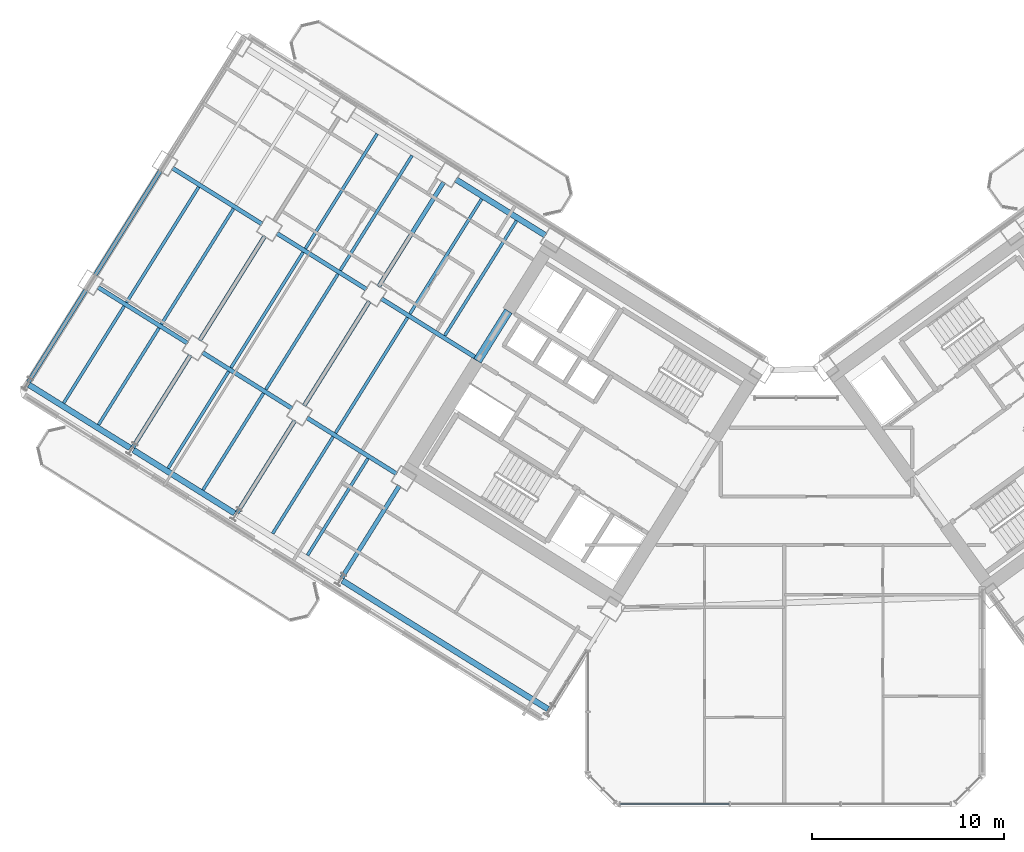
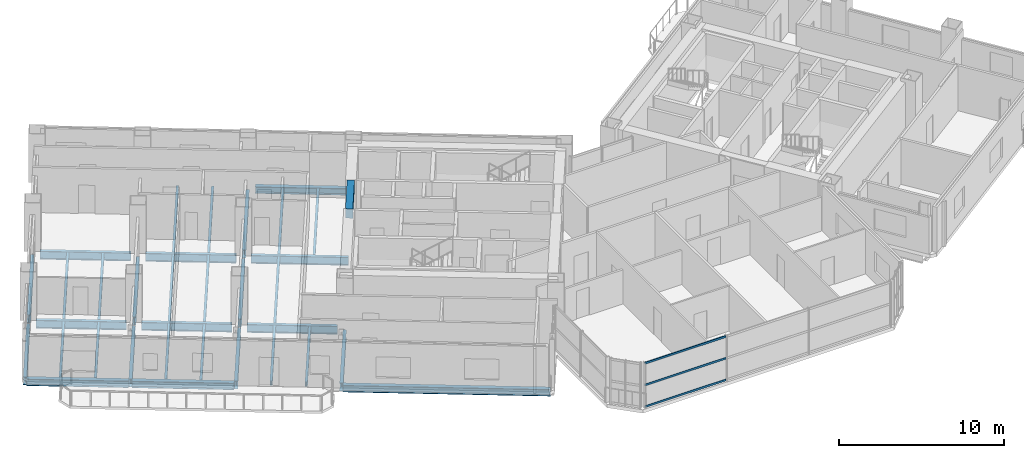
# One storey, part 6 of 28: 34 beams, 3 members, 1 element without a shape of its own.
"""IFC4 building model written with IfcOpenShell, lengths in metres."""

from ifc_helpers import new_model, si_unit, direction, frame, origin, origin_2d, place, context, subcontext, project, spatial, rectangle, hollow_rectangle, i_section, extrude, source, transform, mapped, material, material_profile, profile_set, type_object, element, aggregate, save


model = new_model("IFC4")

# Units and contexts
model_context = context("Model", 3, precision=1e-05, world=origin(), true_north=direction((0.0, 1.0)))
body_context = subcontext(model_context, "Body", "Model", "MODEL_VIEW")
ifc_project = project(units=[si_unit("LENGTHUNIT", "METRE"), si_unit("AREAUNIT", "SQUARE_METRE"), si_unit("VOLUMEUNIT", "CUBIC_METRE"), si_unit("PLANEANGLEUNIT", "RADIAN"), si_unit("MASSUNIT", "GRAM", prefix="KILO")], contexts=[model_context])

# Site, building, storey
site_placement = place(None, origin())
site = spatial("IfcSite", under=ifc_project, at=site_placement, CompositionType="ELEMENT")
building_placement = place(site_placement, origin())
building = spatial("IfcBuilding", under=site, at=building_placement, Name="Tlacorven Tower", CompositionType="ELEMENT")
storey_placement = place(building_placement, frame((0.0, 0.0, 34.800048828125)))
storey = spatial("IfcBuildingStorey", under=building, at=storey_placement, Name="L08", CompositionType="ELEMENT", Elevation=34.800048828125)

# Beams
ifc_material_1 = material(Name="Concrete C60/75", Category="concrete")
ifc_material_profile_1 = material_profile(ifc_material_1, rectangle(XDim=0.449951171875, YDim=0.699951171875, at=origin_2d()), Name="RC 450X700")
ifc_profile_set_1 = profile_set([ifc_material_profile_1], Name="Concrete C60/75")
beam_type_1 = type_object("IfcBeamType", Name="BM-LNT-700", PredefinedType="LINTEL", material=ifc_profile_set_1)
shared_shape_1 = source(origin(), body_context, "Body", "SweptSolid", [
    extrude(rectangle(XDim=0.449951171875, YDim=0.699951171875, at=origin_2d()), origin(), (0.0, 0.0, 1.0), 3.0498046875),
])
beam_1_placement = place(storey_placement, frame((27.622802734375, 27.562255859375, 3.0), z_axis=(-0.529926983584, -0.848043272522, 0.0), x_axis=(0.848043272522, -0.529926983584, 0.0)))
element("IfcBeam", 1, at=beam_1_placement, inside=storey, type_object=beam_type_1, Name="L08 W core coupling lintel beam E2", PredefinedType="LINTEL", context=body_context, shape_type="MappedRepresentation", body=[
    mapped(shared_shape_1, transform((0.0, 0.0, 0.0), scale=1.0)),
])
ifc_material_2 = material(Name="Steel S355J2", Category="steel")
ifc_material_profile_2 = material_profile(ifc_material_2, i_section(OverallWidth=0.300048828125, OverallDepth=0.489990234375, WebThickness=0.011962890625, FlangeThickness=0.02294921875, at=origin_2d()), Name="HEA 500")
ifc_profile_set_2 = profile_set([ifc_material_profile_2], Name="Steel S355J2")
beam_type_2 = type_object("IfcBeamType", Name="BM-SPN-500", PredefinedType="SPANDREL", material=ifc_profile_set_2)
shared_shape_2 = source(origin(), body_context, "Body", "SweptSolid", [
    extrude(i_section(OverallWidth=0.300048828125, OverallDepth=0.489990234375, WebThickness=0.011962890625, FlangeThickness=0.02294921875, at=origin_2d()), origin(), (0.0, 0.0, 1.0), 5.5),
])
beam_2_placement = place(storey_placement, frame((29.54638671875, 31.48974609375, -0.4951171875), z_axis=(-0.848050668838, 0.52991514706, 0.0), x_axis=(-0.52991514706, -0.848050668838, 0.0)))
element("IfcBeam", 2, at=beam_2_placement, inside=storey, type_object=beam_type_2, Name="L08 beam BM-L08-WL1-3", PredefinedType="SPANDREL", context=body_context, shape_type="MappedRepresentation", body=[
    mapped(shared_shape_2, transform((0.0, 0.0, 0.0), scale=1.0)),
])
ifc_material_profile_3 = material_profile(ifc_material_2, i_section(OverallWidth=0.219970703125, OverallDepth=0.60009765625, WebThickness=0.011962890625, FlangeThickness=0.01904296875, at=origin_2d()), Name="IPE 600")
ifc_profile_set_3 = profile_set([ifc_material_profile_3], Name="Steel S355J2")
beam_type_3 = type_object("IfcBeamType", Name="BM-TWR-600", PredefinedType="BEAM", material=ifc_profile_set_3)
shared_shape_3 = source(origin(), body_context, "Body", "SweptSolid", [
    extrude(i_section(OverallWidth=0.219970703125, OverallDepth=0.60009765625, WebThickness=0.011962890625, FlangeThickness=0.01904296875, at=origin_2d()), origin(), (0.0, 0.0, 1.0), 5.909912109375),
])
beam_3_placement = place(storey_placement, frame((26.025634765625, 25.081787109375, -0.550048828125), z_axis=(-0.848047036595, 0.529920959883, 0.0), x_axis=(-0.529920959883, -0.848047036595, 0.0)))
element("IfcBeam", 3, at=beam_3_placement, inside=storey, type_object=beam_type_3, Name="L08 beam BM-L08-WL2-3", PredefinedType="BEAM", context=body_context, shape_type="MappedRepresentation", body=[
    mapped(shared_shape_3, transform((0.0, 0.0, 0.0), scale=1.0)),
])
shared_shape_4 = source(origin(), body_context, "Body", "SweptSolid", [
    extrude(i_section(OverallWidth=0.219970703125, OverallDepth=0.60009765625, WebThickness=0.011962890625, FlangeThickness=0.01904296875, at=origin_2d()), origin(), (0.0, 0.0, 1.0), 5.5),
])
for number, where, z_axis, x_axis, name in (
    (4, (20.25048828125, 28.690673828125, -0.550048828125), (-0.848050668838, 0.52991514706, 0.0), (-0.52991514706, -0.848050668838, 0.0), "L08 beam BM-L08-WL2-4"),
    (5, (14.822998046875, 32.08203125, -0.550048828125), (-0.848050668838, 0.52991514706, 0.0), (-0.52991514706, -0.848050668838, 0.0), "L08 beam BM-L08-WL2-5"),
    (6, (21.8095703125, 19.1083984375, -0.550048828125), (-0.848050668838, 0.52991514706, 0.0), (-0.52991514706, -0.848050668838, 0.0), "L08 beam BM-L08-WL3-3"),
    (7, (16.382080078125, 22.499755859375, -0.550048828125), (-0.848050668838, 0.52991514706, 0.0), (-0.52991514706, -0.848050668838, 0.0), "L08 beam BM-L08-WL3-4"),
    (8, (10.95458984375, 25.891357421875, -0.550048828125), (-0.848050668838, 0.52991514706, 0.0), (-0.52991514706, -0.848050668838, 0.0), "L08 beam BM-L08-WL3-5"),
):
    element("IfcBeam", number, at=place(storey_placement, frame(where, z_axis=z_axis, x_axis=x_axis)), inside=storey, type_object=beam_type_3, Name=name, PredefinedType="BEAM", context=body_context, shape_type="MappedRepresentation", body=[
        mapped(shared_shape_4, transform((0.0, 0.0, 0.0), scale=1.0)),
    ])
shared_shape_5 = source(origin(), body_context, "Body", "SweptSolid", [
    extrude(i_section(OverallWidth=0.300048828125, OverallDepth=0.489990234375, WebThickness=0.011962890625, FlangeThickness=0.02294921875, at=origin_2d()), origin(), (0.0, 0.0, 1.0), 12.599853515625),
])
beam_4_placement = place(storey_placement, frame((29.67578125, 6.882080078125, -0.4951171875), z_axis=(-0.848045108756, 0.529924045043, 0.0), x_axis=(-0.529924045043, -0.848045108756, 0.0)))
element("IfcBeam", 9, at=beam_4_placement, inside=storey, type_object=beam_type_2, Name="L08 beam BM-L08-WL4-1", PredefinedType="SPANDREL", context=body_context, shape_type="MappedRepresentation", body=[
    mapped(shared_shape_5, transform((0.0, 0.0, 0.0), scale=1.0)),
])
shared_shape_6 = source(origin(), body_context, "Body", "SweptSolid", [
    extrude(i_section(OverallWidth=0.300048828125, OverallDepth=0.489990234375, WebThickness=0.011962890625, FlangeThickness=0.02294921875, at=origin_2d()), origin(), (0.0, 0.0, 1.0), 6.199951171875),
])
for number, where, z_axis, x_axis, name in (
    (10, (13.393310546875, 17.056396484375, -0.4951171875), (-0.848033697614, 0.529942306022, 0.0), (-0.529942306022, -0.848033697614, 0.0), "L08 beam BM-L08-WL4-4"),
    (11, (7.9658203125, 20.447998046875, -0.4951171875), (-0.848051394107, 0.529913986372, 0.0), (-0.529913986372, -0.848051394107, 0.0), "L08 beam BM-L08-WL4-5"),
):
    element("IfcBeam", number, at=place(storey_placement, frame(where, z_axis=z_axis, x_axis=x_axis)), inside=storey, type_object=beam_type_2, Name=name, PredefinedType="SPANDREL", context=body_context, shape_type="MappedRepresentation", body=[
        mapped(shared_shape_6, transform((0.0, 0.0, 0.0), scale=1.0)),
    ])
shared_shape_7 = source(origin(), body_context, "Body", "SweptSolid", [
    extrude(i_section(OverallWidth=0.219970703125, OverallDepth=0.60009765625, WebThickness=0.011962890625, FlangeThickness=0.01904296875, at=origin_2d()), origin(), (0.0, 0.0, 1.0), 5.650146484375),
])
for number, where, z_axis, x_axis, name in (
    (12, (21.95263671875, 18.48828125, -0.550048828125), (-0.529929025184, -0.848041996759, 0.0), (0.848041996759, -0.529929025184, 0.0), "L08 beam BM-L08-WT3-2"),
    (13, (16.525146484375, 21.879638671875, -0.550048828125), (-0.529929025184, -0.848041996759, 0.0), (0.848041996759, -0.529929025184, 0.0), "L08 beam BM-L08-WT4-3"),
    (14, (11.09765625, 25.271240234375, -0.550048828125), (-0.529929025184, -0.848041996759, 0.0), (0.848041996759, -0.529929025184, 0.0), "L08 beam BM-L08-WT5-3"),
    (15, (5.670166015625, 28.66259765625, -0.550048828125), (-0.529929025184, -0.848041996759, 0.0), (0.848041996759, -0.529929025184, 0.0), "L08 beam BM-L08-WT6-3"),
):
    element("IfcBeam", number, at=place(storey_placement, frame(where, z_axis=z_axis, x_axis=x_axis)), inside=storey, type_object=beam_type_3, Name=name, PredefinedType="BEAM", context=body_context, shape_type="MappedRepresentation", body=[
        mapped(shared_shape_7, transform((0.0, 0.0, 0.0), scale=1.0)),
    ])
shared_shape_8 = source(origin(), body_context, "Body", "SweptSolid", [
    extrude(i_section(OverallWidth=0.219970703125, OverallDepth=0.60009765625, WebThickness=0.011962890625, FlangeThickness=0.01904296875, at=origin_2d()), origin(), (0.0, 0.0, 1.0), 6.39990234375),
])
for number, where, z_axis, x_axis, name in (
    (16, (24.261962890625, 34.26123046875, -0.550048828125), (-0.529906354247, -0.848056163074, 0.0), (0.848056163074, -0.529906354247, 0.0), "L08 beam BM-L08-WT4-1"),
    (17, (20.3935546875, 28.070556640625, -0.550048828125), (-0.529906354247, -0.848056163074, 0.0), (0.848056163074, -0.529906354247, 0.0), "L08 beam BM-L08-WT4-2"),
):
    element("IfcBeam", number, at=place(storey_placement, frame(where, z_axis=z_axis, x_axis=x_axis)), inside=storey, type_object=beam_type_3, Name=name, PredefinedType="BEAM", context=body_context, shape_type="MappedRepresentation", body=[
        mapped(shared_shape_8, transform((0.0, 0.0, 0.0), scale=1.0)),
    ])
shared_shape_9 = source(origin(), body_context, "Body", "SweptSolid", [
    extrude(i_section(OverallWidth=0.219970703125, OverallDepth=0.60009765625, WebThickness=0.011962890625, FlangeThickness=0.01904296875, at=origin_2d()), origin(), (0.0, 0.0, 1.0), 6.400146484375),
])
for number, where, z_axis, x_axis, name in (
    (18, (14.966064453125, 31.4619140625, -0.550048828125), (-0.529933789039, -0.848039019877, 0.0), (0.848039019877, -0.529933789039, 0.0), "L08 beam BM-L08-WT5-2"),
    (19, (9.53857421875, 34.853515625, -0.550048828125), (-0.529933789039, -0.848039019877, 0.0), (0.848039019877, -0.529933789039, 0.0), "L08 beam BM-L08-WT6-2"),
):
    element("IfcBeam", number, at=place(storey_placement, frame(where, z_axis=z_axis, x_axis=x_axis)), inside=storey, type_object=beam_type_3, Name=name, PredefinedType="BEAM", context=body_context, shape_type="MappedRepresentation", body=[
        mapped(shared_shape_9, transform((0.0, 0.0, 0.0), scale=1.0)),
    ])
ifc_material_profile_4 = material_profile(ifc_material_2, i_section(OverallWidth=0.159912109375, OverallDepth=0.330078125, WebThickness=0.007568359375, FlangeThickness=0.011474609375, at=origin_2d()), Name="IPE 330")
ifc_profile_set_4 = profile_set([ifc_material_profile_4], Name="Steel S355J2")
beam_type_4 = type_object("IfcBeamType", Name="BM-JST-330", PredefinedType="JOIST", material=ifc_profile_set_4)
shared_shape_10 = source(origin(), body_context, "Body", "SweptSolid", [
    extrude(i_section(OverallWidth=0.159912109375, OverallDepth=0.330078125, WebThickness=0.007568359375, FlangeThickness=0.011474609375, at=origin_2d()), origin(), (0.0, 0.0, 1.0), 7.030029296875),
])
for number, where, z_axis, x_axis, name in (
    (20, (28.03662109375, 32.25048828125, -0.4150390625), (-0.529911532383, -0.848052927504, 0.0), (0.848052927504, -0.529911532383, 0.0), "L08 beam BM-L08-WJ3-1-1"),
    (21, (26.2275390625, 33.380859375, -0.4150390625), (-0.529927139185, -0.84804317529, 0.0), (0.84804317529, -0.529927139185, 0.0), "L08 beam BM-L08-WJ3-1-2"),
    (22, (22.609130859375, 35.641845703125, -0.4150390625), (-0.529927139185, -0.84804317529, 0.0), (0.84804317529, -0.529927139185, 0.0), "L08 beam BM-L08-WJ4-1-1"),
    (23, (20.800048828125, 36.7724609375, -0.4150390625), (-0.529911532383, -0.848052927504, 0.0), (0.848052927504, -0.529911532383, 0.0), "L08 beam BM-L08-WJ4-1-2"),
):
    element("IfcBeam", number, at=place(storey_placement, frame(where, z_axis=z_axis, x_axis=x_axis)), inside=storey, type_object=beam_type_4, Name=name, PredefinedType="JOIST", context=body_context, shape_type="MappedRepresentation", body=[
        mapped(shared_shape_10, transform((0.0, 0.0, 0.0), scale=1.0)),
    ])
shared_shape_11 = source(origin(), body_context, "Body", "SweptSolid", [
    extrude(i_section(OverallWidth=0.159912109375, OverallDepth=0.330078125, WebThickness=0.007568359375, FlangeThickness=0.011474609375, at=origin_2d()), origin(), (0.0, 0.0, 1.0), 5.93017578125),
])
for number, where, z_axis, x_axis, name in (
    (24, (20.321044921875, 19.90283203125, -0.4150390625), (-0.529899018132, -0.848060746989, 0.0), (0.848060746989, -0.529899018132, 0.0), "L08 beam BM-L08-WJ3-3-1"),
    (25, (18.51171875, 21.033447265625, -0.4150390625), (-0.529899018132, -0.848060746989, 0.0), (0.848060746989, -0.529899018132, 0.0), "L08 beam BM-L08-WJ3-3-2"),
    (26, (9.466064453125, 26.685791015625, -0.4150390625), (-0.529928626913, -0.848042245633, 0.0), (0.848042245633, -0.529928626913, 0.0), "L08 beam BM-L08-WJ5-3-1"),
    (27, (7.65673828125, 27.81640625, -0.4150390625), (-0.529899018132, -0.848060746989, 0.0), (0.848060746989, -0.529899018132, 0.0), "L08 beam BM-L08-WJ5-3-2"),
):
    element("IfcBeam", number, at=place(storey_placement, frame(where, z_axis=z_axis, x_axis=x_axis)), inside=storey, type_object=beam_type_4, Name=name, PredefinedType="JOIST", context=body_context, shape_type="MappedRepresentation", body=[
        mapped(shared_shape_11, transform((0.0, 0.0, 0.0), scale=1.0)),
    ])
shared_shape_12 = source(origin(), body_context, "Body", "SweptSolid", [
    extrude(i_section(OverallWidth=0.159912109375, OverallDepth=0.330078125, WebThickness=0.007568359375, FlangeThickness=0.011474609375, at=origin_2d()), origin(), (0.0, 0.0, 1.0), 7.070068359375),
])
for number, where, z_axis, x_axis, name in (
    (28, (22.380126953125, 27.22412109375, -0.4150390625), (-0.529890296319, -0.84806619663, 0.0), (0.84806619663, -0.529890296319, 0.0), "L08 beam BM-L08-WJ3-2-2"),
    (29, (18.761962890625, 29.485107421875, -0.4150390625), (-0.529915131461, -0.848050678585, 0.0), (0.848050678585, -0.529915131461, 0.0), "L08 beam BM-L08-WJ4-2-1"),
    (30, (13.33447265625, 32.87646484375, -0.4150390625), (-0.529930649952, -0.848040981463, 0.0), (0.848040981463, -0.529930649952, 0.0), "L08 beam BM-L08-WJ5-2-1"),
    (31, (11.525146484375, 34.007080078125, -0.4150390625), (-0.529930649952, -0.848040981463, 0.0), (0.848040981463, -0.529930649952, 0.0), "L08 beam BM-L08-WJ5-2-2"),
):
    element("IfcBeam", number, at=place(storey_placement, frame(where, z_axis=z_axis, x_axis=x_axis)), inside=storey, type_object=beam_type_4, Name=name, PredefinedType="JOIST", context=body_context, shape_type="MappedRepresentation", body=[
        mapped(shared_shape_12, transform((0.0, 0.0, 0.0), scale=1.0)),
    ])
shared_shape_13 = source(origin(), body_context, "Body", "SweptSolid", [
    extrude(i_section(OverallWidth=0.159912109375, OverallDepth=0.330078125, WebThickness=0.007568359375, FlangeThickness=0.011474609375, at=origin_2d()), origin(), (0.0, 0.0, 1.0), 5.929931640625),
])
for number, where, z_axis, x_axis, name in (
    (32, (14.8935546875, 23.294189453125, -0.4150390625), (-0.529917519894, -0.848049186138, 0.0), (0.848049186138, -0.529917519894, 0.0), "L08 beam BM-L08-WJ4-3-1"),
    (33, (13.084228515625, 24.4248046875, -0.4150390625), (-0.529917519894, -0.848049186138, 0.0), (0.848049186138, -0.529917519894, 0.0), "L08 beam BM-L08-WJ4-3-2"),
):
    element("IfcBeam", number, at=place(storey_placement, frame(where, z_axis=z_axis, x_axis=x_axis)), inside=storey, type_object=beam_type_4, Name=name, PredefinedType="JOIST", context=body_context, shape_type="MappedRepresentation", body=[
        mapped(shared_shape_13, transform((0.0, 0.0, 0.0), scale=1.0)),
    ])
shared_shape_14 = source(origin(), body_context, "Body", "SweptSolid", [
    extrude(i_section(OverallWidth=0.159912109375, OverallDepth=0.330078125, WebThickness=0.007568359375, FlangeThickness=0.011474609375, at=origin_2d()), origin(), (0.0, 0.0, 1.0), 7.06982421875),
])
beam_5_placement = place(storey_placement, frame((16.95263671875, 30.615478515625, -0.4150390625), z_axis=(-0.52990581465, -0.84805650024, 0.0), x_axis=(0.84805650024, -0.52990581465, 0.0)))
element("IfcBeam", 34, at=beam_5_placement, inside=storey, type_object=beam_type_4, Name="L08 beam BM-L08-WJ4-2-2", PredefinedType="JOIST", context=body_context, shape_type="MappedRepresentation", body=[
    mapped(shared_shape_14, transform((0.0, 0.0, 0.0), scale=1.0)),
])

# Curtain wall, members
ifc_material_3 = material(Name="Dark solar low-E double glazing in aluminium frame", Category="aluminium")
curtain_wall_type = type_object("IfcCurtainWallType", Name="CW-TWR-LOW", PredefinedType="USERDEFINED", material=ifc_material_3)
curtain_wall_placement = place(storey_placement, origin())
curtain_wall = element("IfcCurtainWall", 35, at=curtain_wall_placement, inside=storey, type_object=curtain_wall_type, Name="L08 CW-TWR-LOW Curtain Wall 40", ObjectType="UNITISED CURTAIN WALL", PredefinedType="USERDEFINED")
ifc_material_4 = material(Name="Aluminium 6063-T6 anodised", Category="aluminium")
ifc_material_profile_5 = material_profile(ifc_material_4, hollow_rectangle(XDim=0.06005859375, YDim=0.139892578125, WallThickness=0.00390625, at=origin_2d()), Name="ALU TRANSOM 60X140")
ifc_profile_set_5 = profile_set([ifc_material_profile_5], Name="Aluminium 6063-T6 anodised")
member_type = type_object("IfcMemberType", Name="CWT-02", PredefinedType="USERDEFINED", material=ifc_profile_set_5)
shared_shape_15 = source(origin(), body_context, "Body", "SweptSolid", [
    extrude(hollow_rectangle(XDim=0.06005859375, YDim=0.139892578125, WallThickness=0.00390625, at=origin_2d()), origin(), (0.0, 0.0, 1.0), 5.6748046875),
])
member_1_placement = place(storey_placement, frame((39.09912109375, 1.9599609375, 0.070068359375), z_axis=(-1.0, 0.0, 0.0), x_axis=(0.0, -1.0, 0.0)))
member_1 = element("IfcMember", 36, at=member_1_placement, type_object=member_type, Name="CW-L08-040 Transom 7", ObjectType="TRANSOM", PredefinedType="USERDEFINED", context=body_context, shape_type="MappedRepresentation", body=[
    mapped(shared_shape_15, transform((0.0, 0.0, 0.0), scale=1.0)),
])
member_2_placement = place(storey_placement, frame((39.09912109375, 1.9599609375, 1.675048828125), z_axis=(-1.0, 0.0, 0.0), x_axis=(0.0, -1.0, 0.0)))
member_2 = element("IfcMember", 37, at=member_2_placement, type_object=member_type, Name="CW-L08-040 Transom 8", ObjectType="TRANSOM", PredefinedType="USERDEFINED", context=body_context, shape_type="MappedRepresentation", body=[
    mapped(shared_shape_15, transform((0.0, 0.0, 0.0), scale=1.0)),
])
member_3_placement = place(storey_placement, frame((39.09912109375, 1.9599609375, 3.280029296875), z_axis=(-1.0, 0.0, 0.0), x_axis=(0.0, -1.0, 0.0)))
member_3 = element("IfcMember", 38, at=member_3_placement, type_object=member_type, Name="CW-L08-040 Transom 9", ObjectType="TRANSOM", PredefinedType="USERDEFINED", context=body_context, shape_type="MappedRepresentation", body=[
    mapped(shared_shape_15, transform((0.0, 0.0, 0.0), scale=1.0)),
])
aggregate(curtain_wall, [member_1, member_2, member_3])

save(model, "model.ifc")
